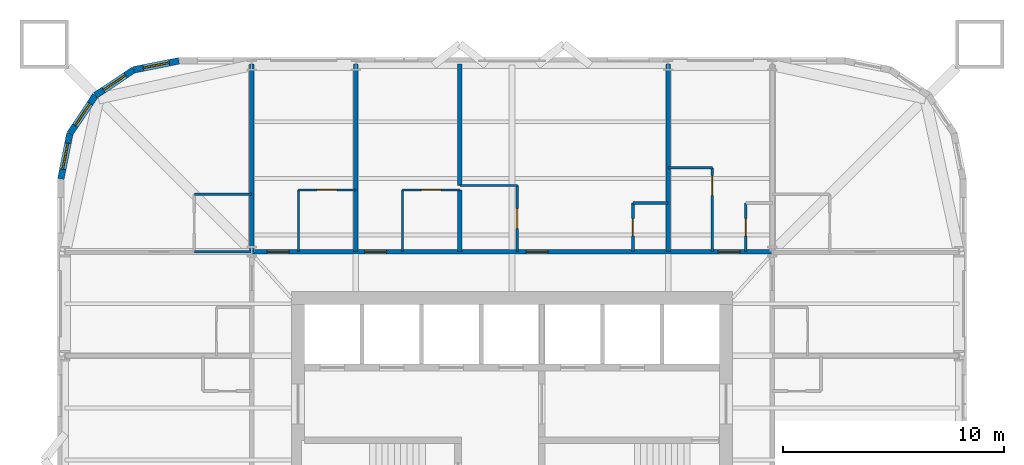
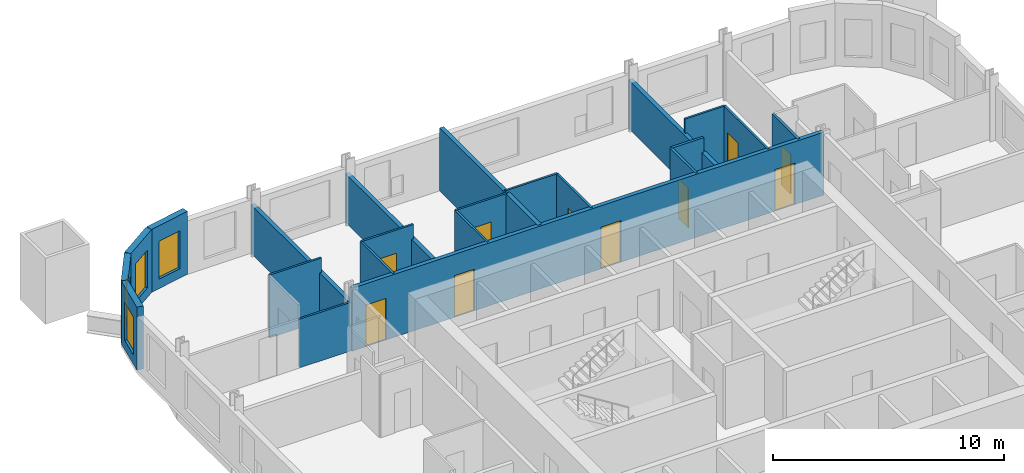
# One storey, part 7 of 9: 23 walls, 10 doors, 4 windows, 14 openings.
"""IFC4 building model written with IfcOpenShell, lengths in metres."""

from ifc_helpers import new_model, si_unit, direction, frame, frame_2d, origin, place, context, subcontext, project, spatial, rectangle, extrude, material, layer, layer_set, type_object, element, fill, save


model = new_model("IFC4")

# Units and contexts
model_context = context("Model", 3, precision=1e-05, world=origin(), true_north=direction((0.0, 1.0)))
body_context = subcontext(model_context, "Body", "Model", "MODEL_VIEW")
ifc_project = project(units=[si_unit("LENGTHUNIT", "METRE"), si_unit("AREAUNIT", "SQUARE_METRE"), si_unit("VOLUMEUNIT", "CUBIC_METRE"), si_unit("PLANEANGLEUNIT", "RADIAN"), si_unit("MASSUNIT", "GRAM", prefix="KILO")], contexts=[model_context])

# Site, building, storey
site_placement = place(None, origin())
site = spatial("IfcSite", under=ifc_project, at=site_placement, CompositionType="ELEMENT")
building_placement = place(site_placement, origin())
building = spatial("IfcBuilding", under=site, at=building_placement, Name="Turquesa Mirador Hotel Tower", CompositionType="ELEMENT")
storey_placement = place(building_placement, frame((0.0, 0.0, 128.39990234375)))
storey = spatial("IfcBuildingStorey", under=building, at=storey_placement, Name="L34", CompositionType="ELEMENT", Elevation=128.39990234375)

# Walls
ifc_material_1 = material(Name="Gypsum board on steel studs", Category="steel")
ifc_layer_1 = layer(ifc_material_1, 0.10009765625)
ifc_layer_set_1 = layer_set([ifc_layer_1], Name="BATHROOM WALL 100")
wall_type_1 = type_object("IfcWallType", Name="BATHROOM WALL 100", PredefinedType="PARTITIONING", material=ifc_layer_set_1)
wall_1_placement = place(storey_placement, frame((40.60009765625, 56.800048828125, 0.0), z_axis=(0.0, 0.0, 1.0), x_axis=(1.0, 0.0, 0.0)))
element("IfcWall", 1, at=wall_1_placement, inside=storey, type_object=wall_type_1, Name="Partition L34 024", PredefinedType="PARTITIONING", context=body_context, shape_type="SweptSolid", body=[
    extrude(rectangle(XDim=2.599853515625, YDim=0.10009765625, at=frame_2d((1.2998046875, 0.0))), origin(), (0.0, 0.0, 1.0), 2.5732421875),
])
wall_2_placement = place(storey_placement, frame((40.60009765625, 59.39990234375, 0.0), z_axis=(0.0, 0.0, 1.0), x_axis=(1.0, 0.0, 0.0)))
element("IfcWall", 2, at=wall_2_placement, inside=storey, type_object=wall_type_1, Name="Partition L34 031", PredefinedType="PARTITIONING", context=body_context, shape_type="SweptSolid", body=[
    extrude(rectangle(XDim=2.599853515625, YDim=0.10009765625, at=frame_2d((1.2998046875, 0.0))), origin(), (0.0, 0.0, 1.0), 3.330078125),
])

# Wall, opening, door
wall_3_placement = place(storey_placement, frame((45.320068359375, 59.60009765625, 0.0), z_axis=(0.0, 0.0, 1.0), x_axis=(1.0, 0.0, 0.0)))
wall_3 = element("IfcWall", 3, at=wall_3_placement, inside=storey, type_object=wall_type_1, Name="Partition L34 033", PredefinedType="PARTITIONING", context=body_context, shape_type="SweptSolid", body=[
    extrude(rectangle(XDim=2.599853515625, YDim=0.10009765625, at=frame_2d((1.2998046875, 0.0))), origin(), (0.0, 0.0, 1.0), 3.330078125),
])
opening_1_placement = place(wall_3_placement, frame((0.85009765625, 0.0, 0.0)))
opening_1 = element("IfcOpeningElement", 4, at=opening_1_placement, cuts=wall_3, Name="Opening D02", PredefinedType="OPENING", context=body_context, shape_type="SweptSolid", body=[
    extrude(rectangle(XDim=0.89990234375, YDim=2.10009765625, at=frame_2d((0.449951171875, 1.050048828125))), frame((0.0, 0.06005859375, 0.0), z_axis=(0.0, -1.0, 0.0), x_axis=(1.0, 0.0, 0.0)), (0.0, 0.0, 1.0), 0.1201171875),
])
ifc_material_2 = material(Name="Timber veneered door", Category="wood")
door_type_1 = type_object("IfcDoorType", Name="DOOR 900X2100 EN-SUITE", OperationType="SINGLE_SWING_RIGHT", PredefinedType="DOOR", material=ifc_material_2)
door_1_placement = place(opening_1_placement, origin())
door_1 = element("IfcDoor", 5, at=door_1_placement, inside=storey, type_object=door_type_1, Name="Door 3401B", OperationType="SINGLE_SWING_RIGHT", OverallHeight=2.10009765625, OverallWidth=0.89990234375, PredefinedType="DOOR", context=body_context, shape_type="SweptSolid", body=[
    extrude(rectangle(XDim=0.89990234375, YDim=2.10009765625, at=frame_2d((0.449951171875, 1.050048828125))), frame((0.0, 0.02490234375, 0.0), z_axis=(0.0, -1.0, 0.0), x_axis=(1.0, 0.0, 0.0)), (0.0, 0.0, 1.0), 0.050048828125),
])
fill(opening_1, door_1)

wall_4_placement = place(storey_placement, frame((50.0400390625, 59.60009765625, 0.0), z_axis=(0.0, 0.0, 1.0), x_axis=(1.0, 0.0, 0.0)))
wall_4 = element("IfcWall", 6, at=wall_4_placement, inside=storey, type_object=wall_type_1, Name="Partition L34 034", PredefinedType="PARTITIONING", context=body_context, shape_type="SweptSolid", body=[
    extrude(rectangle(XDim=2.599853515625, YDim=0.10009765625, at=frame_2d((1.2998046875, 0.0))), origin(), (0.0, 0.0, 1.0), 3.330078125),
])
opening_2_placement = place(wall_4_placement, frame((0.85009765625, 0.0, 0.0)))
opening_2 = element("IfcOpeningElement", 7, at=opening_2_placement, cuts=wall_4, Name="Opening D02", PredefinedType="OPENING", context=body_context, shape_type="SweptSolid", body=[
    extrude(rectangle(XDim=0.89990234375, YDim=2.10009765625, at=frame_2d((0.449951171875, 1.050048828125))), frame((0.0, 0.06005859375, 0.0), z_axis=(0.0, -1.0, 0.0), x_axis=(1.0, 0.0, 0.0)), (0.0, 0.0, 1.0), 0.1201171875),
])
door_2_placement = place(opening_2_placement, origin())
door_2 = element("IfcDoor", 8, at=door_2_placement, inside=storey, type_object=door_type_1, Name="Door 3402B", OperationType="SINGLE_SWING_RIGHT", OverallHeight=2.10009765625, OverallWidth=0.89990234375, PredefinedType="DOOR", context=body_context, shape_type="SweptSolid", body=[
    extrude(rectangle(XDim=0.89990234375, YDim=2.10009765625, at=frame_2d((0.449951171875, 1.050048828125))), frame((0.0, 0.02490234375, 0.0), z_axis=(0.0, -1.0, 0.0), x_axis=(1.0, 0.0, 0.0)), (0.0, 0.0, 1.0), 0.050048828125),
])
fill(opening_2, door_2)

# Walls
wall_5_placement = place(storey_placement, frame((52.639892578125, 59.800048828125, 0.0), z_axis=(0.0, 0.0, 1.0), x_axis=(1.0, 0.0, 0.0)))
element("IfcWall", 9, at=wall_5_placement, inside=storey, type_object=wall_type_1, Name="Partition L34 035", PredefinedType="PARTITIONING", context=body_context, shape_type="SweptSolid", body=[
    extrude(rectangle(XDim=2.60009765625, YDim=0.10009765625, at=frame_2d((1.300048828125, 0.0))), origin(), (0.0, 0.0, 1.0), 3.330078125),
])
wall_6_placement = place(storey_placement, frame((62.080078125, 60.60009765625, 0.0), z_axis=(0.0, 0.0, 1.0), x_axis=(1.0, 0.0, 0.0)))
element("IfcWall", 10, at=wall_6_placement, inside=storey, type_object=wall_type_1, Name="Partition L34 036", PredefinedType="PARTITIONING", context=body_context, shape_type="SweptSolid", body=[
    extrude(rectangle(XDim=2.0, YDim=0.10009765625, at=frame_2d((1.0, 0.0))), origin(), (0.0, 0.0, 1.0), 3.330078125),
])
for number, where, z_axis, x_axis, name in (
    (11, (50.0400390625, 56.800048828125, 0.0), (0.0, 0.0, 1.0), (0.0, 1.0, 0.0), "Partition L34 059"),
    (12, (45.320068359375, 56.800048828125, 0.0), (0.0, 0.0, 1.0), (0.0, 1.0, 0.0), "Partition L34 062"),
):
    element("IfcWall", number, at=place(storey_placement, frame(where, z_axis=z_axis, x_axis=x_axis)), inside=storey, type_object=wall_type_1, Name=name, PredefinedType="PARTITIONING", context=body_context, shape_type="SweptSolid", body=[
        extrude(rectangle(XDim=2.800048828125, YDim=0.10009765625, at=frame_2d((1.39990234375, 0.0))), origin(), (0.0, 0.0, 1.0), 3.330078125),
    ])

# Wall, opening, door
wall_7_placement = place(storey_placement, frame((55.239990234375, 56.800048828125, 0.0), z_axis=(0.0, 0.0, 1.0), x_axis=(0.0, 1.0, 0.0)))
wall_7 = element("IfcWall", 13, at=wall_7_placement, inside=storey, type_object=wall_type_1, Name="Partition L34 063", PredefinedType="PARTITIONING", context=body_context, shape_type="SweptSolid", body=[
    extrude(rectangle(XDim=3.0, YDim=0.10009765625, at=frame_2d((1.5, 0.0))), origin(), (0.0, 0.0, 1.0), 3.330078125),
])
opening_3_placement = place(wall_7_placement, frame((1.050048828125, 0.0, 0.0)))
opening_3 = element("IfcOpeningElement", 14, at=opening_3_placement, cuts=wall_7, Name="Opening D02", PredefinedType="OPENING", context=body_context, shape_type="SweptSolid", body=[
    extrude(rectangle(XDim=0.89990234375, YDim=2.10009765625, at=frame_2d((0.449951171875, 1.050048828125))), frame((0.0, 0.06005859375, 0.0), z_axis=(0.0, -1.0, 0.0), x_axis=(1.0, 0.0, 0.0)), (0.0, 0.0, 1.0), 0.1201171875),
])
door_3_placement = place(opening_3_placement, origin())
door_3 = element("IfcDoor", 15, at=door_3_placement, inside=storey, type_object=door_type_1, Name="Door 3403B", OperationType="SINGLE_SWING_RIGHT", OverallHeight=2.10009765625, OverallWidth=0.89990234375, PredefinedType="DOOR", context=body_context, shape_type="SweptSolid", body=[
    extrude(rectangle(XDim=0.89990234375, YDim=2.10009765625, at=frame_2d((0.449951171875, 1.050048828125))), frame((0.0, 0.02490234375, 0.0), z_axis=(0.0, -1.0, 0.0), x_axis=(1.0, 0.0, 0.0)), (0.0, 0.0, 1.0), 0.050048828125),
])
fill(opening_3, door_3)

wall_8_placement = place(storey_placement, frame((64.080078125, 56.800048828125, 0.0), z_axis=(0.0, 0.0, 1.0), x_axis=(0.0, 1.0, 0.0)))
wall_8 = element("IfcWall", 16, at=wall_8_placement, inside=storey, type_object=wall_type_1, Name="Partition L34 078", PredefinedType="PARTITIONING", context=body_context, shape_type="SweptSolid", body=[
    extrude(rectangle(XDim=3.800048828125, YDim=0.10009765625, at=frame_2d((1.89990234375, 0.0))), origin(), (0.0, 0.0, 1.0), 3.330078125),
])
opening_4_placement = place(wall_8_placement, frame((2.550048828125, 0.0, 0.0)))
opening_4 = element("IfcOpeningElement", 17, at=opening_4_placement, cuts=wall_8, Name="Opening D02", PredefinedType="OPENING", context=body_context, shape_type="SweptSolid", body=[
    extrude(rectangle(XDim=0.89990234375, YDim=2.10009765625, at=frame_2d((0.449951171875, 1.050048828125))), frame((0.0, 0.06005859375, 0.0), z_axis=(0.0, -1.0, 0.0), x_axis=(1.0, 0.0, 0.0)), (0.0, 0.0, 1.0), 0.1201171875),
])
door_4_placement = place(opening_4_placement, origin())
door_4 = element("IfcDoor", 18, at=door_4_placement, inside=storey, type_object=door_type_1, Name="Door 3404B", OperationType="SINGLE_SWING_RIGHT", OverallHeight=2.10009765625, OverallWidth=0.89990234375, PredefinedType="DOOR", context=body_context, shape_type="SweptSolid", body=[
    extrude(rectangle(XDim=0.89990234375, YDim=2.10009765625, at=frame_2d((0.449951171875, 1.050048828125))), frame((0.0, 0.02490234375, 0.0), z_axis=(0.0, -1.0, 0.0), x_axis=(1.0, 0.0, 0.0)), (0.0, 0.0, 1.0), 0.050048828125),
])
fill(opening_4, door_4)

# Wall, openings, doors
ifc_material_3 = material(Name="Fire-rated gypsum board on steel studs", Category="steel")
ifc_layer_2 = layer(ifc_material_3, 0.199951171875)
ifc_layer_set_2 = layer_set([ifc_layer_2], Name="CORRIDOR WALL 200")
wall_type_2 = type_object("IfcWallType", Name="CORRIDOR WALL 200", PredefinedType="PARTITIONING", material=ifc_layer_set_2)
wall_9_placement = place(storey_placement, frame((43.199951171875, 56.800048828125, 0.0), z_axis=(0.0, 0.0, 1.0), x_axis=(1.0, 0.0, 0.0)))
wall_9 = element("IfcWall", 19, at=wall_9_placement, inside=storey, type_object=wall_type_2, Name="Partition L34 026", PredefinedType="PARTITIONING", context=body_context, shape_type="SweptSolid", body=[
    extrude(rectangle(XDim=23.60009765625, YDim=0.199951171875, at=frame_2d((11.800048828125, 0.0))), origin(), (0.0, 0.0, 1.0), 3.330078125),
])
opening_5_placement = place(wall_9_placement, frame((0.699951171875, 0.0, 0.0)))
opening_5 = element("IfcOpeningElement", 20, at=opening_5_placement, cuts=wall_9, Name="Opening D01", PredefinedType="OPENING", context=body_context, shape_type="SweptSolid", body=[
    extrude(rectangle(XDim=1.0, YDim=2.199951171875, at=frame_2d((0.5, 1.10009765625))), frame((0.0, 0.10986328125, 0.0), z_axis=(0.0, -1.0, 0.0), x_axis=(1.0, 0.0, 0.0)), (0.0, 0.0, 1.0), 0.219970703125),
])
opening_6_placement = place(wall_9_placement, frame((5.1201171875, 0.0, 0.0)))
opening_6 = element("IfcOpeningElement", 21, at=opening_6_placement, cuts=wall_9, Name="Opening D01", PredefinedType="OPENING", context=body_context, shape_type="SweptSolid", body=[
    extrude(rectangle(XDim=1.0, YDim=2.199951171875, at=frame_2d((0.5, 1.10009765625))), frame((0.0, 0.10986328125, 0.0), z_axis=(0.0, -1.0, 0.0), x_axis=(1.0, 0.0, 0.0)), (0.0, 0.0, 1.0), 0.219970703125),
])
opening_7_placement = place(wall_9_placement, frame((12.43994140625, 0.0, 0.0)))
opening_7 = element("IfcOpeningElement", 22, at=opening_7_placement, cuts=wall_9, Name="Opening D01", PredefinedType="OPENING", context=body_context, shape_type="SweptSolid", body=[
    extrude(rectangle(XDim=1.0, YDim=2.199951171875, at=frame_2d((0.5, 1.10009765625))), frame((0.0, 0.10986328125, 0.0), z_axis=(0.0, -1.0, 0.0), x_axis=(1.0, 0.0, 0.0)), (0.0, 0.0, 1.0), 0.219970703125),
])
opening_8_placement = place(wall_9_placement, frame((21.139892578125, 0.0, 0.0)))
opening_8 = element("IfcOpeningElement", 23, at=opening_8_placement, cuts=wall_9, Name="Opening D01", PredefinedType="OPENING", context=body_context, shape_type="SweptSolid", body=[
    extrude(rectangle(XDim=1.0, YDim=2.199951171875, at=frame_2d((0.5, 1.10009765625))), frame((0.0, 0.10986328125, 0.0), z_axis=(0.0, -1.0, 0.0), x_axis=(1.0, 0.0, 0.0)), (0.0, 0.0, 1.0), 0.219970703125),
])
ifc_material_4 = material(Name="Timber veneered fire door", Category="wood")
door_type_2 = type_object("IfcDoorType", Name="DOOR 1000X2200 GUEST ENTRY", OperationType="SINGLE_SWING_LEFT", PredefinedType="DOOR", material=ifc_material_4)
door_5_placement = place(opening_5_placement, origin())
door_5 = element("IfcDoor", 24, at=door_5_placement, inside=storey, type_object=door_type_2, Name="Door 3401", OperationType="SINGLE_SWING_LEFT", OverallHeight=2.199951171875, OverallWidth=1.0, PredefinedType="DOOR", context=body_context, shape_type="SweptSolid", body=[
    extrude(rectangle(XDim=1.0, YDim=2.199951171875, at=frame_2d((0.5, 1.10009765625))), frame((0.0, 0.02490234375, 0.0), z_axis=(0.0, -1.0, 0.0), x_axis=(1.0, 0.0, 0.0)), (0.0, 0.0, 1.0), 0.050048828125),
])
fill(opening_5, door_5)
door_6_placement = place(opening_6_placement, origin())
door_6 = element("IfcDoor", 25, at=door_6_placement, inside=storey, type_object=door_type_2, Name="Door 3402", OperationType="SINGLE_SWING_LEFT", OverallHeight=2.199951171875, OverallWidth=1.0, PredefinedType="DOOR", context=body_context, shape_type="SweptSolid", body=[
    extrude(rectangle(XDim=1.0, YDim=2.199951171875, at=frame_2d((0.5, 1.10009765625))), frame((0.0, 0.02490234375, 0.0), z_axis=(0.0, -1.0, 0.0), x_axis=(1.0, 0.0, 0.0)), (0.0, 0.0, 1.0), 0.050048828125),
])
fill(opening_6, door_6)
door_7_placement = place(opening_7_placement, origin())
door_7 = element("IfcDoor", 26, at=door_7_placement, inside=storey, type_object=door_type_2, Name="Door 3403", OperationType="SINGLE_SWING_LEFT", OverallHeight=2.199951171875, OverallWidth=1.0, PredefinedType="DOOR", context=body_context, shape_type="SweptSolid", body=[
    extrude(rectangle(XDim=1.0, YDim=2.199951171875, at=frame_2d((0.5, 1.10009765625))), frame((0.0, 0.02490234375, 0.0), z_axis=(0.0, -1.0, 0.0), x_axis=(1.0, 0.0, 0.0)), (0.0, 0.0, 1.0), 0.050048828125),
])
fill(opening_7, door_7)
door_8_placement = place(opening_8_placement, origin())
door_8 = element("IfcDoor", 27, at=door_8_placement, inside=storey, type_object=door_type_2, Name="Door 3404", OperationType="SINGLE_SWING_LEFT", OverallHeight=2.199951171875, OverallWidth=1.0, PredefinedType="DOOR", context=body_context, shape_type="SweptSolid", body=[
    extrude(rectangle(XDim=1.0, YDim=2.199951171875, at=frame_2d((0.5, 1.10009765625))), frame((0.0, 0.02490234375, 0.0), z_axis=(0.0, -1.0, 0.0), x_axis=(1.0, 0.0, 0.0)), (0.0, 0.0, 1.0), 0.050048828125),
])
fill(opening_8, door_8)

# Wall, opening, window
ifc_material_5 = material(Name="Limestone cladding on concrete block", Category="masonry")
ifc_layer_3 = layer(ifc_material_5, 0.300048828125)
ifc_layer_set_3 = layer_set([ifc_layer_3], Name="FACADE WALL 300 STONE SCREEN")
wall_type_3 = type_object("IfcWallType", Name="FACADE WALL 300 STONE SCREEN", PredefinedType="SOLIDWALL", material=ifc_layer_set_3)
wall_10_placement = place(storey_placement, frame((39.89990234375, 65.449951171875, 0.0), z_axis=(0.0, 0.0, 1.0), x_axis=(-0.980787050784, -0.195081421501, 0.0)))
wall_10 = element("IfcWall", 28, at=wall_10_placement, inside=storey, type_object=wall_type_3, Name="Facade wall L34 10", PredefinedType="SOLIDWALL", context=body_context, shape_type="SweptSolid", body=[
    extrude(rectangle(XDim=2.08740234375, YDim=0.300048828125, at=frame_2d((1.043701171875, 0.0))), origin(), (0.0, 0.0, 1.0), 3.330078125),
])
opening_9_placement = place(wall_10_placement, frame((0.443603515625, 0.0, 0.5)))
opening_9 = element("IfcOpeningElement", 29, at=opening_9_placement, cuts=wall_10, Name="Opening WN4", PredefinedType="OPENING", context=body_context, shape_type="SweptSolid", body=[
    extrude(rectangle(XDim=1.199951171875, YDim=2.0, at=frame_2d((0.60009765625, 1.0))), frame((0.0, 0.159912109375, 0.0), z_axis=(0.0, -1.0, 0.0), x_axis=(1.0, 0.0, 0.0)), (0.0, 0.0, 1.0), 0.320068359375),
])
ifc_material_6 = material(Name="Ceramic-fritted laminated glass", Category="glass")
window_type = type_object("IfcWindowType", Name="FRITTED CORNER WINDOW 1200X2000", PartitioningType="DOUBLE_PANEL_HORIZONTAL", PredefinedType="WINDOW", material=ifc_material_6)
window_1_placement = place(opening_9_placement, origin())
window_1 = element("IfcWindow", 30, at=window_1_placement, inside=storey, type_object=window_type, Name="Window L34", OverallHeight=2.0, OverallWidth=1.199951171875, PartitioningType="SINGLE_PANEL", PredefinedType="WINDOW", context=body_context, shape_type="SweptSolid", body=[
    extrude(rectangle(XDim=1.199951171875, YDim=2.0, at=frame_2d((0.60009765625, 1.0))), frame((0.0, 0.030029296875, 0.0), z_axis=(0.0, -1.0, 0.0), x_axis=(1.0, 0.0, 0.0)), (0.0, 0.0, 1.0), 0.06005859375),
])
fill(opening_9, window_1)

wall_11_placement = place(storey_placement, frame((37.8525390625, 65.042724609375, 0.0), z_axis=(0.0, 0.0, 1.0), x_axis=(-0.831474039234, -0.555563607591, 0.0)))
wall_11 = element("IfcWall", 31, at=wall_11_placement, inside=storey, type_object=wall_type_3, Name="Facade wall L34 11", PredefinedType="SOLIDWALL", context=body_context, shape_type="SweptSolid", body=[
    extrude(rectangle(XDim=2.08740234375, YDim=0.300048828125, at=frame_2d((1.043701171875, 0.0))), origin(), (0.0, 0.0, 1.0), 3.330078125),
])
opening_10_placement = place(wall_11_placement, frame((0.443603515625, 0.0, 0.5)))
opening_10 = element("IfcOpeningElement", 32, at=opening_10_placement, cuts=wall_11, Name="Opening WN4", PredefinedType="OPENING", context=body_context, shape_type="SweptSolid", body=[
    extrude(rectangle(XDim=1.199951171875, YDim=2.0, at=frame_2d((0.60009765625, 1.0))), frame((0.0, 0.159912109375, 0.0), z_axis=(0.0, -1.0, 0.0), x_axis=(1.0, 0.0, 0.0)), (0.0, 0.0, 1.0), 0.320068359375),
])
window_2_placement = place(opening_10_placement, origin())
window_2 = element("IfcWindow", 33, at=window_2_placement, inside=storey, type_object=window_type, Name="Window L34", OverallHeight=2.0, OverallWidth=1.199951171875, PartitioningType="SINGLE_PANEL", PredefinedType="WINDOW", context=body_context, shape_type="SweptSolid", body=[
    extrude(rectangle(XDim=1.199951171875, YDim=2.0, at=frame_2d((0.60009765625, 1.0))), frame((0.0, 0.030029296875, 0.0), z_axis=(0.0, -1.0, 0.0), x_axis=(1.0, 0.0, 0.0)), (0.0, 0.0, 1.0), 0.06005859375),
])
fill(opening_10, window_2)

wall_12_placement = place(storey_placement, frame((36.116943359375, 63.883056640625, 0.0), z_axis=(0.0, 0.0, 1.0), x_axis=(-0.555563607591, -0.831474039234, 0.0)))
wall_12 = element("IfcWall", 34, at=wall_12_placement, inside=storey, type_object=wall_type_3, Name="Facade wall L34 12", PredefinedType="SOLIDWALL", context=body_context, shape_type="SweptSolid", body=[
    extrude(rectangle(XDim=2.08740234375, YDim=0.300048828125, at=frame_2d((1.043701171875, 0.0))), origin(), (0.0, 0.0, 1.0), 3.330078125),
])
opening_11_placement = place(wall_12_placement, frame((0.443603515625, 0.0, 0.5)))
opening_11 = element("IfcOpeningElement", 35, at=opening_11_placement, cuts=wall_12, Name="Opening WN4", PredefinedType="OPENING", context=body_context, shape_type="SweptSolid", body=[
    extrude(rectangle(XDim=1.199951171875, YDim=2.0, at=frame_2d((0.60009765625, 1.0))), frame((0.0, 0.159912109375, 0.0), z_axis=(0.0, -1.0, 0.0), x_axis=(1.0, 0.0, 0.0)), (0.0, 0.0, 1.0), 0.320068359375),
])
window_3_placement = place(opening_11_placement, origin())
window_3 = element("IfcWindow", 36, at=window_3_placement, inside=storey, type_object=window_type, Name="Window L34", OverallHeight=2.0, OverallWidth=1.199951171875, PartitioningType="SINGLE_PANEL", PredefinedType="WINDOW", context=body_context, shape_type="SweptSolid", body=[
    extrude(rectangle(XDim=1.199951171875, YDim=2.0, at=frame_2d((0.60009765625, 1.0))), frame((0.0, 0.030029296875, 0.0), z_axis=(0.0, -1.0, 0.0), x_axis=(1.0, 0.0, 0.0)), (0.0, 0.0, 1.0), 0.06005859375),
])
fill(opening_11, window_3)

wall_13_placement = place(storey_placement, frame((34.957275390625, 62.1474609375, 0.0), z_axis=(0.0, 0.0, 1.0), x_axis=(-0.195081421501, -0.980787050784, 0.0)))
wall_13 = element("IfcWall", 37, at=wall_13_placement, inside=storey, type_object=wall_type_3, Name="Facade wall L34 13", PredefinedType="SOLIDWALL", context=body_context, shape_type="SweptSolid", body=[
    extrude(rectangle(XDim=2.08740234375, YDim=0.300048828125, at=frame_2d((1.043701171875, 0.0))), origin(), (0.0, 0.0, 1.0), 3.330078125),
])
opening_12_placement = place(wall_13_placement, frame((0.443603515625, 0.0, 0.5)))
opening_12 = element("IfcOpeningElement", 38, at=opening_12_placement, cuts=wall_13, Name="Opening WN4", PredefinedType="OPENING", context=body_context, shape_type="SweptSolid", body=[
    extrude(rectangle(XDim=1.199951171875, YDim=2.0, at=frame_2d((0.60009765625, 1.0))), frame((0.0, 0.159912109375, 0.0), z_axis=(0.0, -1.0, 0.0), x_axis=(1.0, 0.0, 0.0)), (0.0, 0.0, 1.0), 0.320068359375),
])
window_4_placement = place(opening_12_placement, origin())
window_4 = element("IfcWindow", 39, at=window_4_placement, inside=storey, type_object=window_type, Name="Window L34", OverallHeight=2.0, OverallWidth=1.199951171875, PartitioningType="SINGLE_PANEL", PredefinedType="WINDOW", context=body_context, shape_type="SweptSolid", body=[
    extrude(rectangle(XDim=1.199951171875, YDim=2.0, at=frame_2d((0.60009765625, 1.0))), frame((0.0, 0.030029296875, 0.0), z_axis=(0.0, -1.0, 0.0), x_axis=(1.0, 0.0, 0.0)), (0.0, 0.0, 1.0), 0.06005859375),
])
fill(opening_12, window_4)

# Walls
ifc_material_7 = material(Name="Fire-rated gypsum board on steel studs", Category="steel")
ifc_layer_4 = layer(ifc_material_7, 0.199951171875)
ifc_layer_set_4 = layer_set([ifc_layer_4], Name="PARTY WALL 200")
wall_type_4 = type_object("IfcWallType", Name="PARTY WALL 200", PredefinedType="PARTITIONING", material=ifc_layer_set_4)
wall_14_placement = place(storey_placement, frame((43.199951171875, 56.800048828125, 0.0), z_axis=(0.0, 0.0, 1.0), x_axis=(0.0, 1.0, 0.0)))
element("IfcWall", 40, at=wall_14_placement, inside=storey, type_object=wall_type_4, Name="Partition L34 046", PredefinedType="PARTITIONING", context=body_context, shape_type="SweptSolid", body=[
    extrude(rectangle(XDim=8.5, YDim=0.199951171875, at=frame_2d((4.25, 0.0))), origin(), (0.0, 0.0, 1.0), 2.5732421875),
])
wall_15_placement = place(storey_placement, frame((52.639892578125, 56.800048828125, 0.0), z_axis=(0.0, 0.0, 1.0), x_axis=(0.0, 1.0, 0.0)))
element("IfcWall", 41, at=wall_15_placement, inside=storey, type_object=wall_type_4, Name="Partition L34 056", PredefinedType="PARTITIONING", context=body_context, shape_type="SweptSolid", body=[
    extrude(rectangle(XDim=2.800048828125, YDim=0.199951171875, at=frame_2d((1.39990234375, 0.0))), origin(), (0.0, 0.0, 1.0), 3.330078125),
])
wall_16_placement = place(storey_placement, frame((52.639892578125, 59.800048828125, 0.0), z_axis=(0.0, 0.0, 1.0), x_axis=(0.0, 1.0, 0.0)))
element("IfcWall", 42, at=wall_16_placement, inside=storey, type_object=wall_type_4, Name="Partition L34 057", PredefinedType="PARTITIONING", context=body_context, shape_type="SweptSolid", body=[
    extrude(rectangle(XDim=5.5, YDim=0.199951171875, at=frame_2d((2.75, 0.0))), origin(), (0.0, 0.0, 1.0), 3.330078125),
])
for number, where, z_axis, x_axis, name in (
    (43, (47.919921875, 56.800048828125, 0.0), (0.0, 0.0, 1.0), (0.0, 1.0, 0.0), "Partition L34 060"),
    (44, (62.080078125, 56.800048828125, 0.0), (0.0, 0.0, 1.0), (0.0, 1.0, 0.0), "Partition L34 076"),
):
    element("IfcWall", number, at=place(storey_placement, frame(where, z_axis=z_axis, x_axis=x_axis)), inside=storey, type_object=wall_type_4, Name=name, PredefinedType="PARTITIONING", context=body_context, shape_type="SweptSolid", body=[
        extrude(rectangle(XDim=8.5, YDim=0.199951171875, at=frame_2d((4.25, 0.0))), origin(), (0.0, 0.0, 1.0), 2.5732421875),
    ])
ifc_material_8 = material(Name="Acoustic gypsum board on steel studs", Category="steel")
ifc_layer_5 = layer(ifc_material_8, 0.125)
ifc_layer_set_5 = layer_set([ifc_layer_5], Name="SUITE PARTITION 125")
wall_type_5 = type_object("IfcWallType", Name="SUITE PARTITION 125", PredefinedType="PARTITIONING", material=ifc_layer_set_5)
wall_17_placement = place(storey_placement, frame((60.47998046875, 59.0, 0.0), z_axis=(0.0, 0.0, 1.0), x_axis=(1.0, 0.0, 0.0)))
element("IfcWall", 45, at=wall_17_placement, inside=storey, type_object=wall_type_5, Name="Partition L34 029", PredefinedType="PARTITIONING", context=body_context, shape_type="SweptSolid", body=[
    extrude(rectangle(XDim=1.60009765625, YDim=0.125, at=frame_2d((0.800048828125, 0.0))), origin(), (0.0, 0.0, 1.0), 3.330078125),
])

# Wall, opening, door
wall_18_placement = place(storey_placement, frame((65.60009765625, 56.800048828125, 0.0), z_axis=(0.0, 0.0, 1.0), x_axis=(0.0, 1.0, 0.0)))
wall_18 = element("IfcWall", 46, at=wall_18_placement, inside=storey, type_object=wall_type_5, Name="Partition L34 064", PredefinedType="PARTITIONING", context=body_context, shape_type="SweptSolid", body=[
    extrude(rectangle(XDim=2.199951171875, YDim=0.125, at=frame_2d((1.10009765625, 0.0))), origin(), (0.0, 0.0, 1.0), 3.330078125),
])
opening_13_placement = place(wall_18_placement, frame((0.699951171875, 0.0, 0.0)))
opening_13 = element("IfcOpeningElement", 47, at=opening_13_placement, cuts=wall_18, Name="Opening D20", PredefinedType="OPENING", context=body_context, shape_type="SweptSolid", body=[
    extrude(rectangle(XDim=0.800048828125, YDim=2.10009765625, at=frame_2d((0.39990234375, 1.050048828125))), frame((0.0, 0.072509765625, 0.0), z_axis=(0.0, -1.0, 0.0), x_axis=(1.0, 0.0, 0.0)), (0.0, 0.0, 1.0), 0.14501953125),
])
ifc_material_9 = material(Name="Timber veneered sliding door", Category="wood")
door_type_3 = type_object("IfcDoorType", Name="DOOR 800X2100 WARDROBE", OperationType="SLIDING_TO_LEFT", PredefinedType="DOOR", material=ifc_material_9)
door_9_placement = place(opening_13_placement, origin())
door_9 = element("IfcDoor", 48, at=door_9_placement, inside=storey, type_object=door_type_3, Name="Door 3404W", OperationType="SLIDING_TO_LEFT", OverallHeight=2.10009765625, OverallWidth=0.800048828125, PredefinedType="DOOR", context=body_context, shape_type="SweptSolid", body=[
    extrude(rectangle(XDim=0.800048828125, YDim=2.10009765625, at=frame_2d((0.39990234375, 1.050048828125))), frame((0.0, 0.02490234375, 0.0), z_axis=(0.0, -1.0, 0.0), x_axis=(1.0, 0.0, 0.0)), (0.0, 0.0, 1.0), 0.050048828125),
])
fill(opening_13, door_9)

wall_19_placement = place(storey_placement, frame((60.47998046875, 56.800048828125, 0.0), z_axis=(0.0, 0.0, 1.0), x_axis=(0.0, 1.0, 0.0)))
wall_19 = element("IfcWall", 49, at=wall_19_placement, inside=storey, type_object=wall_type_5, Name="Partition L34 075", PredefinedType="PARTITIONING", context=body_context, shape_type="SweptSolid", body=[
    extrude(rectangle(XDim=2.199951171875, YDim=0.125, at=frame_2d((1.10009765625, 0.0))), origin(), (0.0, 0.0, 1.0), 3.330078125),
])
opening_14_placement = place(wall_19_placement, frame((0.699951171875, 0.0, 0.0)))
opening_14 = element("IfcOpeningElement", 50, at=opening_14_placement, cuts=wall_19, Name="Opening D20", PredefinedType="OPENING", context=body_context, shape_type="SweptSolid", body=[
    extrude(rectangle(XDim=0.800048828125, YDim=2.10009765625, at=frame_2d((0.39990234375, 1.050048828125))), frame((0.0, 0.072509765625, 0.0), z_axis=(0.0, -1.0, 0.0), x_axis=(1.0, 0.0, 0.0)), (0.0, 0.0, 1.0), 0.14501953125),
])
door_10_placement = place(opening_14_placement, origin())
door_10 = element("IfcDoor", 51, at=door_10_placement, inside=storey, type_object=door_type_3, Name="Door 3403W", OperationType="SLIDING_TO_LEFT", OverallHeight=2.10009765625, OverallWidth=0.800048828125, PredefinedType="DOOR", context=body_context, shape_type="SweptSolid", body=[
    extrude(rectangle(XDim=0.800048828125, YDim=2.10009765625, at=frame_2d((0.39990234375, 1.050048828125))), frame((0.0, 0.02490234375, 0.0), z_axis=(0.0, -1.0, 0.0), x_axis=(1.0, 0.0, 0.0)), (0.0, 0.0, 1.0), 0.050048828125),
])
fill(opening_14, door_10)

save(model, "model.ifc")
